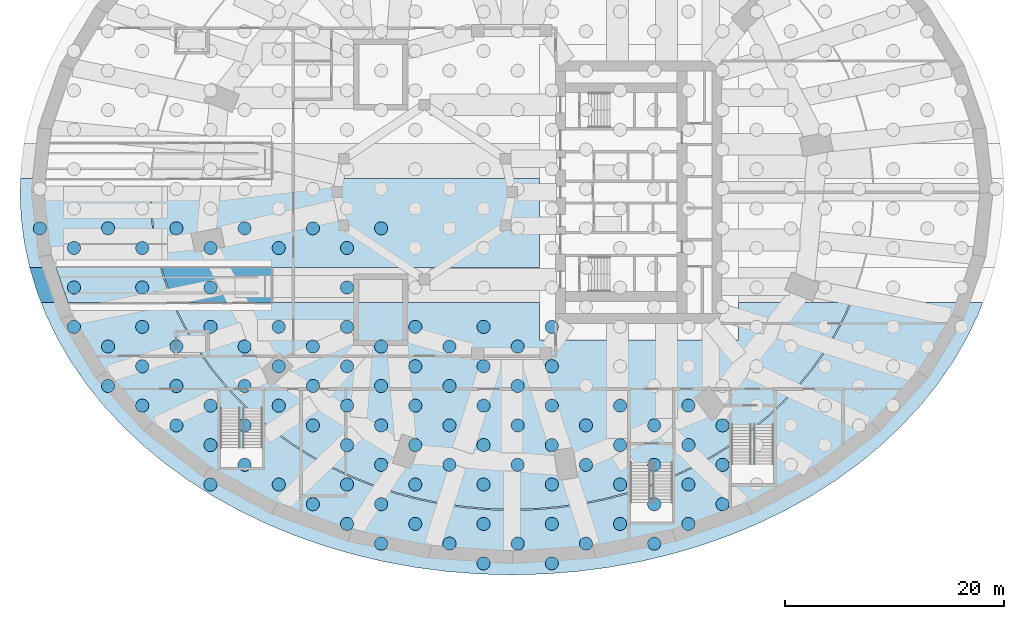
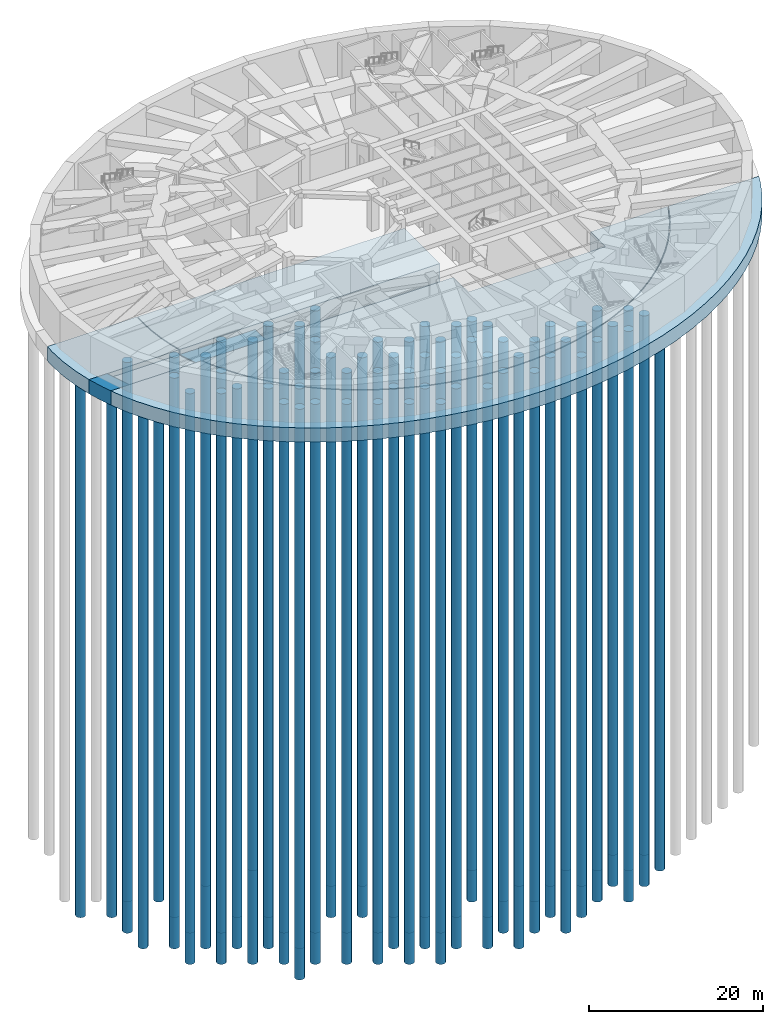
# One storey, part 1 of 18: 100 piles, 7 footings.
"""IFC4 building model written with IfcOpenShell, lengths in metres."""

import ifcopenshell
import ifcopenshell.guid

model = None  # the IFC model being written
_history = None  # IfcOwnerHistory: only IFC2X3 demands one
_inside = {}  # id of a spatial element -> (the spatial element, [elements in it])
_under = {}  # id of a project, library or spatial element -> (it, [spatial elements below it])
_declared = {}  # id of a project -> (the project, [libraries it declares])
_typed = {}  # id of a type object -> (the type object, [elements of that type])
_made_of = {}  # id of a material, layer set ... -> (it, [elements and type objects made of it])


def new_model(schema):
    """Start an empty IFC model of exactly this schema.

    Asked for "IFC4X3", IfcOpenShell would pick the latest addendum, in which some entities
    have other attributes; the version numbers below select the first issue.
    IFC2X3 requires an IfcOwnerHistory on every rooted entity: one is made here for all.
    """
    global model, _history
    if schema == "IFC4X3":
        model = ifcopenshell.file(schema_version=(4, 3, 0, 0))
    else:
        model = ifcopenshell.file(schema=schema)
    _inside.clear()
    _under.clear()
    _declared.clear()
    _typed.clear()
    _made_of.clear()
    _history = None
    if model.schema == "IFC2X3":
        org = make("IfcOrganization", Name="unknown")
        user = make(
            "IfcPersonAndOrganization",
            ThePerson=make("IfcPerson", FamilyName="unknown"),
            TheOrganization=org,
        )
        app = make(
            "IfcApplication",
            ApplicationDeveloper=org,
            Version="unknown",
            ApplicationFullName="unknown",
            ApplicationIdentifier="unknown",
        )
        _history = make(
            "IfcOwnerHistory",
            OwningUser=user,
            OwningApplication=app,
            ChangeAction="ADDED",
            CreationDate=0,
        )
    return model


def make(cls, **values):
    """One entity of the class cls with the attributes given. An attribute that is None is left unset."""
    return model.create_entity(
        cls, **{name: value for name, value in values.items() if value is not None}
    )


def rooted(cls, **values):
    """An entity with a GlobalId (a new one), such as an element, a storey or a relation."""
    return make(cls, GlobalId=ifcopenshell.guid.new(), OwnerHistory=_history, **values)


def si_unit(unit_type, name, prefix=None):
    """IfcSIUnit, for example si_unit("LENGTHUNIT", "METRE", prefix="MILLI")."""
    return make("IfcSIUnit", UnitType=unit_type, Prefix=prefix, Name=name)


def assignment(units):
    """IfcUnitAssignment: the units of a project."""
    return None if units is None else make("IfcUnitAssignment", Units=units)


def point(xyz):
    """IfcCartesianPoint."""
    return None if xyz is None else make("IfcCartesianPoint", Coordinates=xyz)


def direction(xyz):
    """IfcDirection."""
    return None if xyz is None else make("IfcDirection", DirectionRatios=xyz)


def frame(location, z_axis=None, x_axis=None):
    """IfcAxis2Placement3D, a coordinate frame: its origin and axes. An axis left out is left unset."""
    return make(
        "IfcAxis2Placement3D",
        Location=point(location),
        Axis=direction(z_axis),
        RefDirection=direction(x_axis),
    )


def frame_2d(location, x_axis=None):
    """IfcAxis2Placement2D, a coordinate frame in the plane: its origin and x axis."""
    return make(
        "IfcAxis2Placement2D", Location=point(location), RefDirection=direction(x_axis)
    )


def origin():
    """The frame at (0, 0, 0) with its axes left unset."""
    return frame((0.0, 0.0, 0.0))


def origin_2d():
    """The frame at (0, 0) in the plane with its x axis left unset."""
    return frame_2d((0.0, 0.0))


def place(relative_to, where):
    """IfcLocalPlacement: puts the frame where relative to a parent placement (None: the world)."""
    return make(
        "IfcLocalPlacement", PlacementRelTo=relative_to, RelativePlacement=where
    )


def context(
    kind, dimensions, precision=None, world=None, true_north=None, identifier=None
):
    """IfcGeometricRepresentationContext, for example the 3D "Model" context."""
    return make(
        "IfcGeometricRepresentationContext",
        ContextIdentifier=identifier,
        ContextType=kind,
        CoordinateSpaceDimension=dimensions,
        Precision=precision,
        WorldCoordinateSystem=world,
        TrueNorth=true_north,
    )


def subcontext(parent, identifier, kind, view, scale=None):
    """IfcGeometricRepresentationSubContext, for example "Body" below "Model"."""
    return make(
        "IfcGeometricRepresentationSubContext",
        ContextIdentifier=identifier,
        ContextType=kind,
        ParentContext=parent,
        TargetScale=scale,
        TargetView=view,
    )


def project(units=None, contexts=None):
    """IfcProject with its units and contexts."""
    return rooted(
        "IfcProject",
        Name="project",
        RepresentationContexts=contexts,
        UnitsInContext=assignment(units),
    )


def spatial(cls, under=None, at=None, **own):
    """A site, building, storey or space (cls), placed at a placement, below another one or the project."""
    s = rooted(cls, ObjectPlacement=at, **own)
    if under is not None:
        _under.setdefault(under.id(), (under, []))[1].append(s)
    return s


def polyline(points):
    """IfcPolyline through the points."""
    return make("IfcPolyline", Points=[point(p) for p in points])


def profile(cls, at=None, kind="AREA", **sizes):
    """A parametric profile (cls). Its sizes go by their IFC names, for example OverallWidth=200.0."""
    return make(cls, ProfileType=kind, Position=at, **sizes)


def circle(**sizes):
    """IfcCircleProfileDef."""
    return profile("IfcCircleProfileDef", **sizes)


def outline(outer, holes=None, kind="AREA"):
    """IfcArbitraryClosedProfileDef: a profile drawn as a closed curve; with holes, ...WithVoids."""
    if holes is None:
        return make("IfcArbitraryClosedProfileDef", ProfileType=kind, OuterCurve=outer)
    return make(
        "IfcArbitraryProfileDefWithVoids",
        ProfileType=kind,
        OuterCurve=outer,
        InnerCurves=holes,
    )


def extrude(swept, where, along, depth):
    """IfcExtrudedAreaSolid: the profile swept, set in the frame where, extruded along a direction by depth."""
    return make(
        "IfcExtrudedAreaSolid",
        SweptArea=swept,
        Position=where,
        ExtrudedDirection=direction(along),
        Depth=depth,
    )


def shape(context_of_items, identifier, shape_type, items):
    """IfcShapeRepresentation: the items that make up one representation, for example the "Body"."""
    return make(
        "IfcShapeRepresentation",
        ContextOfItems=context_of_items,
        RepresentationIdentifier=identifier,
        RepresentationType=shape_type,
        Items=items,
    )


def material(Name=None, Category=None):
    """IfcMaterial."""
    return make("IfcMaterial", Name=Name, Category=Category)


def layer(
    of_material, thickness, ventilated=None, Name=None, Category=None, Priority=None
):
    """IfcMaterialLayer: one layer of a wall or slab, of a material (None: an air gap)."""
    return make(
        "IfcMaterialLayer",
        Material=of_material,
        LayerThickness=thickness,
        IsVentilated=ventilated,
        Name=Name,
        Category=Category,
        Priority=Priority,
    )


def layer_set(layers, Name=None):
    """IfcMaterialLayerSet."""
    return make("IfcMaterialLayerSet", MaterialLayers=layers, LayerSetName=Name)


def material_profile(
    of_material, cross_section, Name=None, Category=None, Priority=None
):
    """IfcMaterialProfile: a cross section and its material."""
    return make(
        "IfcMaterialProfile",
        Name=Name,
        Material=of_material,
        Profile=cross_section,
        Priority=Priority,
        Category=Category,
    )


def profile_set(profiles, Name=None, composite=None):
    """IfcMaterialProfileSet."""
    return make(
        "IfcMaterialProfileSet",
        Name=Name,
        MaterialProfiles=profiles,
        CompositeProfile=composite,
    )


def made_of(thing, what):
    """Note that an element or type object is made of a material, layer set ...; save() writes the relation."""
    if what is not None:
        _made_of.setdefault(what.id(), (what, []))[1].append(thing)
    return thing


def type_object(cls, material=None, **own):
    """A type object (cls), such as IfcWallType, which elements share."""
    return made_of(rooted(cls, **own), material)


def element(
    cls,
    number,
    at=None,
    inside=None,
    cuts=None,
    type_object=None,
    material=None,
    context=None,
    identifier="Body",
    shape_type=None,
    held_by="IfcProductDefinitionShape",
    body=None,
    shapes=None,
    **own,
):
    """One element of the class cls, such as IfcWall. Its Tag is "e" and its number.

    at: its placement. inside: the storey or other place that contains it. cuts: it is an
    opening in that element (IfcRelVoidsElement). A single representation is given by context,
    identifier, shape_type and body (its items); several are given by shapes. held_by: the class
    of the entity that holds the representations. save() writes the other relations.
    """
    e = rooted(cls, Tag="e%d" % number, ObjectPlacement=at, **own)
    if body is not None:
        shapes = [shape(context, identifier, shape_type, body)]
    if shapes is not None:
        e.Representation = make(held_by, Representations=shapes)
    if inside is not None:
        _inside.setdefault(inside.id(), (inside, []))[1].append(e)
    if cuts is not None:
        rooted(
            "IfcRelVoidsElement", RelatingBuildingElement=cuts, RelatedOpeningElement=e
        )
    if type_object is not None:
        _typed.setdefault(type_object.id(), (type_object, []))[1].append(e)
    return made_of(e, material)


def aggregate(whole, parts):
    """IfcRelAggregates: a whole, such as a stair, and the parts it consists of."""
    return rooted("IfcRelAggregates", RelatingObject=whole, RelatedObjects=parts)


def save(model, path):
    """Write the relations noted so far, then the file.

    IfcRelAggregates (storeys below a building ...), IfcRelContainedInSpatialStructure (elements
    in a storey), IfcRelDefinesByType, IfcRelAssociatesMaterial and IfcRelDeclares: one each for
    every whole, place, type object, material and project.
    """
    for whole, parts in _under.values():
        aggregate(whole, parts)
    for where, things in _inside.values():
        rooted(
            "IfcRelContainedInSpatialStructure",
            RelatedElements=things,
            RelatingStructure=where,
        )
    for kind, things in _typed.values():
        rooted("IfcRelDefinesByType", RelatedObjects=things, RelatingType=kind)
    for what, things in _made_of.values():
        rooted("IfcRelAssociatesMaterial", RelatedObjects=things, RelatingMaterial=what)
    for by, libraries in _declared.values():
        rooted("IfcRelDeclares", RelatingContext=by, RelatedDefinitions=libraries)
    model.write(path)


model = new_model("IFC4")

# Units and contexts
model_context = context("Model", 3, precision=1e-05, world=origin(), true_north=direction((0.0, 1.0)))
body_context = subcontext(model_context, "Body", "Model", "MODEL_VIEW")
ifc_project = project(units=[si_unit("LENGTHUNIT", "METRE"), si_unit("AREAUNIT", "SQUARE_METRE"), si_unit("VOLUMEUNIT", "CUBIC_METRE"), si_unit("PLANEANGLEUNIT", "RADIAN"), si_unit("MASSUNIT", "GRAM", prefix="KILO")], contexts=[model_context])

# Site, building, storey
site_placement = place(None, origin())
site = spatial("IfcSite", under=ifc_project, at=site_placement, CompositionType="ELEMENT")
building_placement = place(site_placement, origin())
building = spatial("IfcBuilding", under=site, at=building_placement, Name="Taillehof Tower", CompositionType="ELEMENT")
storey_placement = place(building_placement, frame((0.0, 0.0, -10.39990234375)))
storey = spatial("IfcBuildingStorey", under=building, at=storey_placement, Name="B2", CompositionType="ELEMENT", Elevation=-10.39990234375)

# Piles
ifc_material_1 = material(Name="Concrete C30/37", Category="concrete")
ifc_material_profile = material_profile(ifc_material_1, circle(Radius=0.60009765625, at=origin_2d()), Name="BP D1200")
ifc_profile_set = profile_set([ifc_material_profile], Name="Concrete C30/37")
pile_type = type_object("IfcPileType", Name="Bored pile D1200", PredefinedType="BORED", material=ifc_profile_set)
for number, where, z_axis, x_axis, name in (
    (1, (-2.60205078125, -33.9462890625, -1.902099609375), (0.0, 0.0, -1.0), (1.0, 0.0, 0.0), "Pile 001"),
    (2, (3.641845703125, -33.9462890625, -1.902099609375), (0.0, 0.0, -1.0), (1.0, 0.0, 0.0), "Pile 002"),
    (3, (-11.968017578125, -32.14404296875, -1.902099609375), (0.0, 0.0, -1.0), (1.0, 0.0, 0.0), "Pile 003"),
    (4, (-5.72412109375, -32.143798828125, -1.902099609375), (0.0, 0.0, -1.0), (1.0, 0.0, 0.0), "Pile 004"),
    (5, (0.52001953125, -32.143798828125, -1.902099609375), (0.0, 0.0, -1.0), (1.0, 0.0, 0.0), "Pile 005"),
    (6, (6.763916015625, -32.143798828125, -1.902099609375), (0.0, 0.0, -1.0), (1.0, 0.0, 0.0), "Pile 006"),
    (7, (13.0078125, -32.143798828125, -1.902099609375), (0.0, 0.0, -1.0), (1.0, 0.0, 0.0), "Pile 007"),
    (8, (-15.090087890625, -30.341552734375, -1.902099609375), (0.0, 0.0, -1.0), (1.0, 0.0, 0.0), "Pile 008"),
    (9, (-8.845947265625, -30.341552734375, -1.902099609375), (0.0, 0.0, -1.0), (1.0, 0.0, 0.0), "Pile 009"),
    (10, (-2.60205078125, -30.34130859375, -1.902099609375), (0.0, 0.0, -1.0), (1.0, 0.0, 0.0), "Pile 010"),
    (11, (3.641845703125, -30.34130859375, -1.902099609375), (0.0, 0.0, -1.0), (1.0, 0.0, 0.0), "Pile 011"),
    (12, (9.885986328125, -30.34130859375, -1.902099609375), (0.0, 0.0, -1.0), (1.0, 0.0, 0.0), "Pile 012"),
    (13, (16.1298828125, -30.34130859375, -1.902099609375), (0.0, 0.0, -1.0), (1.0, 0.0, 0.0), "Pile 013"),
    (14, (-18.2119140625, -28.539306640625, -1.902099609375), (0.0, 0.0, -1.0), (1.0, 0.0, 0.0), "Pile 014"),
    (15, (-11.968017578125, -28.5390625, -1.902099609375), (0.0, 0.0, -1.0), (1.0, 0.0, 0.0), "Pile 015"),
    (16, (13.008056640625, -28.538818359375, -1.902099609375), (0.0, 0.0, -1.0), (1.0, 0.0, 0.0), "Pile 016"),
    (17, (19.251953125, -28.538818359375, -1.902099609375), (0.0, 0.0, -1.0), (1.0, 0.0, 0.0), "Pile 017"),
    (18, (-27.577880859375, -26.73681640625, -1.902099609375), (0.0, 0.0, -1.0), (1.0, 0.0, 0.0), "Pile 018"),
    (19, (-21.333984375, -26.73681640625, -1.902099609375), (0.0, 0.0, -1.0), (1.0, 0.0, 0.0), "Pile 019"),
    (20, (-15.090087890625, -26.73681640625, -1.902099609375), (0.0, 0.0, -1.0), (1.0, 0.0, 0.0), "Pile 020"),
):
    element("IfcPile", number, at=place(storey_placement, frame(where, z_axis=z_axis, x_axis=x_axis)), inside=storey, type_object=pile_type, Name=name, PredefinedType="BORED", context=body_context, shape_type="SweptSolid", body=[
        extrude(circle(Radius=0.60009765625, at=origin_2d()), origin(), (0.0, 0.0, 1.0), 75.798095703125),
    ])
for number, where, z_axis, x_axis, name in (
    (21, (-8.845947265625, -26.736572265625, -3.402099609375), (0.0, 0.0, -1.0), (1.0, 0.0, 0.0), "Pile 021"),
    (22, (-2.60205078125, -26.736572265625, -3.402099609375), (0.0, 0.0, -1.0), (1.0, 0.0, 0.0), "Pile 022"),
    (23, (3.64208984375, -26.736328125, -3.402099609375), (0.0, 0.0, -1.0), (1.0, 0.0, 0.0), "Pile 023"),
    (24, (9.885986328125, -26.736328125, -3.402099609375), (0.0, 0.0, -1.0), (1.0, 0.0, 0.0), "Pile 024"),
):
    element("IfcPile", number, at=place(storey_placement, frame(where, z_axis=z_axis, x_axis=x_axis)), inside=storey, type_object=pile_type, Name=name, PredefinedType="BORED", context=body_context, shape_type="SweptSolid", body=[
        extrude(circle(Radius=0.60009765625, at=origin_2d()), origin(), (0.0, 0.0, 1.0), 74.298095703125),
    ])
for number, where, z_axis, x_axis, name in (
    (25, (16.1298828125, -26.736328125, -1.902099609375), (0.0, 0.0, -1.0), (1.0, 0.0, 0.0), "Pile 025"),
    (26, (-24.4560546875, -24.934326171875, -1.902099609375), (0.0, 0.0, -1.0), (1.0, 0.0, 0.0), "Pile 027"),
):
    element("IfcPile", number, at=place(storey_placement, frame(where, z_axis=z_axis, x_axis=x_axis)), inside=storey, type_object=pile_type, Name=name, PredefinedType="BORED", context=body_context, shape_type="SweptSolid", body=[
        extrude(circle(Radius=0.60009765625, at=origin_2d()), origin(), (0.0, 0.0, 1.0), 75.798095703125),
    ])
for number, where, z_axis, x_axis, name in (
    (27, (-11.968017578125, -24.93408203125, -3.402099609375), (0.0, 0.0, -1.0), (1.0, 0.0, 0.0), "Pile 028"),
    (28, (-5.72412109375, -24.93408203125, -3.402099609375), (0.0, 0.0, -1.0), (1.0, 0.0, 0.0), "Pile 029"),
    (29, (0.52001953125, -24.93408203125, -3.402099609375), (0.0, 0.0, -1.0), (1.0, 0.0, 0.0), "Pile 030"),
    (30, (6.763916015625, -24.933837890625, -3.402099609375), (0.0, 0.0, -1.0), (1.0, 0.0, 0.0), "Pile 031"),
    (31, (13.008056640625, -24.933837890625, -3.402099609375), (0.0, 0.0, -1.0), (1.0, 0.0, 0.0), "Pile 032"),
):
    element("IfcPile", number, at=place(storey_placement, frame(where, z_axis=z_axis, x_axis=x_axis)), inside=storey, type_object=pile_type, Name=name, PredefinedType="BORED", context=body_context, shape_type="SweptSolid", body=[
        extrude(circle(Radius=0.60009765625, at=origin_2d()), origin(), (0.0, 0.0, 1.0), 74.298095703125),
    ])
for number, where, z_axis, x_axis, name in (
    (32, (19.251953125, -24.933837890625, -1.902099609375), (0.0, 0.0, -1.0), (1.0, 0.0, 0.0), "Pile 033"),
    (33, (-27.577880859375, -23.1318359375, -1.902099609375), (0.0, 0.0, -1.0), (1.0, 0.0, 0.0), "Pile 035"),
):
    element("IfcPile", number, at=place(storey_placement, frame(where, z_axis=z_axis, x_axis=x_axis)), inside=storey, type_object=pile_type, Name=name, PredefinedType="BORED", context=body_context, shape_type="SweptSolid", body=[
        extrude(circle(Radius=0.60009765625, at=origin_2d()), origin(), (0.0, 0.0, 1.0), 75.798095703125),
    ])
for number, where, z_axis, x_axis, name in (
    (34, (-15.090087890625, -23.1318359375, -3.402099609375), (0.0, 0.0, -1.0), (1.0, 0.0, 0.0), "Pile 036"),
    (35, (-8.845947265625, -23.131591796875, -3.402099609375), (0.0, 0.0, -1.0), (1.0, 0.0, 0.0), "Pile 037"),
    (36, (-2.60205078125, -23.131591796875, -3.402099609375), (0.0, 0.0, -1.0), (1.0, 0.0, 0.0), "Pile 038"),
    (37, (3.64208984375, -23.131591796875, -3.402099609375), (0.0, 0.0, -1.0), (1.0, 0.0, 0.0), "Pile 039"),
    (38, (9.885986328125, -23.13134765625, -3.402099609375), (0.0, 0.0, -1.0), (1.0, 0.0, 0.0), "Pile 040"),
    (39, (16.1298828125, -23.13134765625, -3.402099609375), (0.0, 0.0, -1.0), (1.0, 0.0, 0.0), "Pile 041"),
):
    element("IfcPile", number, at=place(storey_placement, frame(where, z_axis=z_axis, x_axis=x_axis)), inside=storey, type_object=pile_type, Name=name, PredefinedType="BORED", context=body_context, shape_type="SweptSolid", body=[
        extrude(circle(Radius=0.60009765625, at=origin_2d()), origin(), (0.0, 0.0, 1.0), 74.298095703125),
    ])
for number, where, z_axis, x_axis, name in (
    (40, (-30.699951171875, -21.32958984375, -1.902099609375), (0.0, 0.0, -1.0), (1.0, 0.0, 0.0), "Pile 044"),
    (41, (-24.455810546875, -21.329345703125, -1.902099609375), (0.0, 0.0, -1.0), (1.0, 0.0, 0.0), "Pile 045"),
):
    element("IfcPile", number, at=place(storey_placement, frame(where, z_axis=z_axis, x_axis=x_axis)), inside=storey, type_object=pile_type, Name=name, PredefinedType="BORED", context=body_context, shape_type="SweptSolid", body=[
        extrude(circle(Radius=0.60009765625, at=origin_2d()), origin(), (0.0, 0.0, 1.0), 75.798095703125),
    ])
for number, where, z_axis, x_axis, name in (
    (42, (-18.2119140625, -21.329345703125, -3.402099609375), (0.0, 0.0, -1.0), (1.0, 0.0, 0.0), "Pile 046"),
    (43, (-11.968017578125, -21.329345703125, -3.402099609375), (0.0, 0.0, -1.0), (1.0, 0.0, 0.0), "Pile 047"),
    (44, (-5.723876953125, -21.3291015625, -3.402099609375), (0.0, 0.0, -1.0), (1.0, 0.0, 0.0), "Pile 048"),
    (45, (0.52001953125, -21.3291015625, -3.402099609375), (0.0, 0.0, -1.0), (1.0, 0.0, 0.0), "Pile 049"),
    (46, (6.76416015625, -21.3291015625, -3.402099609375), (0.0, 0.0, -1.0), (1.0, 0.0, 0.0), "Pile 050"),
    (47, (13.008056640625, -21.328857421875, -3.402099609375), (0.0, 0.0, -1.0), (1.0, 0.0, 0.0), "Pile 051"),
    (48, (19.252197265625, -21.328857421875, -3.402099609375), (0.0, 0.0, -1.0), (1.0, 0.0, 0.0), "Pile 052"),
):
    element("IfcPile", number, at=place(storey_placement, frame(where, z_axis=z_axis, x_axis=x_axis)), inside=storey, type_object=pile_type, Name=name, PredefinedType="BORED", context=body_context, shape_type="SweptSolid", body=[
        extrude(circle(Radius=0.60009765625, at=origin_2d()), origin(), (0.0, 0.0, 1.0), 74.298095703125),
    ])
for number, where, z_axis, x_axis, name in (
    (49, (-33.822021484375, -19.527099609375, -1.902099609375), (0.0, 0.0, -1.0), (1.0, 0.0, 0.0), "Pile 055"),
    (50, (-27.577880859375, -19.527099609375, -1.902099609375), (0.0, 0.0, -1.0), (1.0, 0.0, 0.0), "Pile 056"),
):
    element("IfcPile", number, at=place(storey_placement, frame(where, z_axis=z_axis, x_axis=x_axis)), inside=storey, type_object=pile_type, Name=name, PredefinedType="BORED", context=body_context, shape_type="SweptSolid", body=[
        extrude(circle(Radius=0.60009765625, at=origin_2d()), origin(), (0.0, 0.0, 1.0), 75.798095703125),
    ])
for number, where, z_axis, x_axis, name in (
    (51, (-21.333984375, -19.52685546875, -3.402099609375), (0.0, 0.0, -1.0), (1.0, 0.0, 0.0), "Pile 057"),
    (52, (-15.08984375, -19.52685546875, -3.402099609375), (0.0, 0.0, -1.0), (1.0, 0.0, 0.0), "Pile 058"),
    (53, (-8.845947265625, -19.52685546875, -3.402099609375), (0.0, 0.0, -1.0), (1.0, 0.0, 0.0), "Pile 059"),
    (54, (-2.601806640625, -19.526611328125, -3.402099609375), (0.0, 0.0, -1.0), (1.0, 0.0, 0.0), "Pile 060"),
    (55, (3.64208984375, -19.526611328125, -3.402099609375), (0.0, 0.0, -1.0), (1.0, 0.0, 0.0), "Pile 061"),
    (56, (9.885986328125, -19.526611328125, -3.402099609375), (0.0, 0.0, -1.0), (1.0, 0.0, 0.0), "Pile 062"),
    (57, (16.130126953125, -19.5263671875, -3.402099609375), (0.0, 0.0, -1.0), (1.0, 0.0, 0.0), "Pile 063"),
):
    element("IfcPile", number, at=place(storey_placement, frame(where, z_axis=z_axis, x_axis=x_axis)), inside=storey, type_object=pile_type, Name=name, PredefinedType="BORED", context=body_context, shape_type="SweptSolid", body=[
        extrude(circle(Radius=0.60009765625, at=origin_2d()), origin(), (0.0, 0.0, 1.0), 74.298095703125),
    ])
for number, where, z_axis, x_axis, name in (
    (58, (-36.94384765625, -17.724609375, -1.902099609375), (0.0, 0.0, -1.0), (1.0, 0.0, 0.0), "Pile 067"),
    (59, (-30.699951171875, -17.724609375, -1.902099609375), (0.0, 0.0, -1.0), (1.0, 0.0, 0.0), "Pile 068"),
):
    element("IfcPile", number, at=place(storey_placement, frame(where, z_axis=z_axis, x_axis=x_axis)), inside=storey, type_object=pile_type, Name=name, PredefinedType="BORED", context=body_context, shape_type="SweptSolid", body=[
        extrude(circle(Radius=0.60009765625, at=origin_2d()), origin(), (0.0, 0.0, 1.0), 75.798095703125),
    ])
for number, where, z_axis, x_axis, name in (
    (60, (-24.455810546875, -17.724609375, -3.402099609375), (0.0, 0.0, -1.0), (1.0, 0.0, 0.0), "Pile 069"),
    (61, (-18.2119140625, -17.724365234375, -3.402099609375), (0.0, 0.0, -1.0), (1.0, 0.0, 0.0), "Pile 070"),
    (62, (-11.968017578125, -17.724365234375, -3.402099609375), (0.0, 0.0, -1.0), (1.0, 0.0, 0.0), "Pile 071"),
    (63, (-5.723876953125, -17.724365234375, -3.402099609375), (0.0, 0.0, -1.0), (1.0, 0.0, 0.0), "Pile 072"),
    (64, (0.52001953125, -17.72412109375, -3.402099609375), (0.0, 0.0, -1.0), (1.0, 0.0, 0.0), "Pile 073"),
):
    element("IfcPile", number, at=place(storey_placement, frame(where, z_axis=z_axis, x_axis=x_axis)), inside=storey, type_object=pile_type, Name=name, PredefinedType="BORED", context=body_context, shape_type="SweptSolid", body=[
        extrude(circle(Radius=0.60009765625, at=origin_2d()), origin(), (0.0, 0.0, 1.0), 74.298095703125),
    ])
pile_1_placement = place(storey_placement, frame((-33.822021484375, -15.922119140625, -1.902099609375), z_axis=(0.0, 0.0, -1.0), x_axis=(1.0, 0.0, 0.0)))
element("IfcPile", 65, at=pile_1_placement, inside=storey, type_object=pile_type, Name="Pile 078", PredefinedType="BORED", context=body_context, shape_type="SweptSolid", body=[
    extrude(circle(Radius=0.60009765625, at=origin_2d()), origin(), (0.0, 0.0, 1.0), 75.798095703125),
])
for number, where, z_axis, x_axis, name in (
    (66, (-21.333984375, -15.922119140625, -3.402099609375), (0.0, 0.0, -1.0), (1.0, 0.0, 0.0), "Pile 079"),
    (67, (-15.08984375, -15.921875, -3.402099609375), (0.0, 0.0, -1.0), (1.0, 0.0, 0.0), "Pile 080"),
    (68, (-8.845947265625, -15.921875, -3.402099609375), (0.0, 0.0, -1.0), (1.0, 0.0, 0.0), "Pile 081"),
    (69, (-2.601806640625, -15.921875, -3.402099609375), (0.0, 0.0, -1.0), (1.0, 0.0, 0.0), "Pile 082"),
    (70, (3.64208984375, -15.921630859375, -3.402099609375), (0.0, 0.0, -1.0), (1.0, 0.0, 0.0), "Pile 083"),
):
    element("IfcPile", number, at=place(storey_placement, frame(where, z_axis=z_axis, x_axis=x_axis)), inside=storey, type_object=pile_type, Name=name, PredefinedType="BORED", context=body_context, shape_type="SweptSolid", body=[
        extrude(circle(Radius=0.60009765625, at=origin_2d()), origin(), (0.0, 0.0, 1.0), 74.298095703125),
    ])
for number, where, z_axis, x_axis, name in (
    (71, (-36.94384765625, -14.11962890625, -1.902099609375), (0.0, 0.0, -1.0), (1.0, 0.0, 0.0), "Pile 089"),
    (72, (-30.69970703125, -14.11962890625, -1.902099609375), (0.0, 0.0, -1.0), (1.0, 0.0, 0.0), "Pile 090"),
):
    element("IfcPile", number, at=place(storey_placement, frame(where, z_axis=z_axis, x_axis=x_axis)), inside=storey, type_object=pile_type, Name=name, PredefinedType="BORED", context=body_context, shape_type="SweptSolid", body=[
        extrude(circle(Radius=0.60009765625, at=origin_2d()), origin(), (0.0, 0.0, 1.0), 75.798095703125),
    ])
for number, where, z_axis, x_axis, name in (
    (73, (-24.455810546875, -14.11962890625, -3.402099609375), (0.0, 0.0, -1.0), (1.0, 0.0, 0.0), "Pile 091"),
    (74, (-18.2119140625, -14.119384765625, -3.402099609375), (0.0, 0.0, -1.0), (1.0, 0.0, 0.0), "Pile 092"),
    (75, (-11.9677734375, -14.119384765625, -3.402099609375), (0.0, 0.0, -1.0), (1.0, 0.0, 0.0), "Pile 093"),
    (76, (-5.723876953125, -14.119384765625, -3.402099609375), (0.0, 0.0, -1.0), (1.0, 0.0, 0.0), "Pile 094"),
    (77, (0.520263671875, -14.119384765625, -3.402099609375), (0.0, 0.0, -1.0), (1.0, 0.0, 0.0), "Pile 095"),
):
    element("IfcPile", number, at=place(storey_placement, frame(where, z_axis=z_axis, x_axis=x_axis)), inside=storey, type_object=pile_type, Name=name, PredefinedType="BORED", context=body_context, shape_type="SweptSolid", body=[
        extrude(circle(Radius=0.60009765625, at=origin_2d()), origin(), (0.0, 0.0, 1.0), 74.298095703125),
    ])
for number, where, z_axis, x_axis, name in (
    (78, (-40.06591796875, -12.3173828125, -1.902099609375), (0.0, 0.0, -1.0), (1.0, 0.0, 0.0), "Pile 099"),
    (79, (-33.82177734375, -12.317138671875, -1.902099609375), (0.0, 0.0, -1.0), (1.0, 0.0, 0.0), "Pile 100"),
):
    element("IfcPile", number, at=place(storey_placement, frame(where, z_axis=z_axis, x_axis=x_axis)), inside=storey, type_object=pile_type, Name=name, PredefinedType="BORED", context=body_context, shape_type="SweptSolid", body=[
        extrude(circle(Radius=0.60009765625, at=origin_2d()), origin(), (0.0, 0.0, 1.0), 75.798095703125),
    ])
for number, where, z_axis, x_axis, name in (
    (80, (-27.577880859375, -12.317138671875, -3.402099609375), (0.0, 0.0, -1.0), (1.0, 0.0, 0.0), "Pile 101"),
    (81, (-21.333740234375, -12.317138671875, -3.402099609375), (0.0, 0.0, -1.0), (1.0, 0.0, 0.0), "Pile 102"),
    (82, (-15.08984375, -12.31689453125, -3.402099609375), (0.0, 0.0, -1.0), (1.0, 0.0, 0.0), "Pile 103"),
    (83, (-8.845703125, -12.31689453125, -3.402099609375), (0.0, 0.0, -1.0), (1.0, 0.0, 0.0), "Pile 104"),
    (84, (-2.601806640625, -12.31689453125, -3.402099609375), (0.0, 0.0, -1.0), (1.0, 0.0, 0.0), "Pile 105"),
):
    element("IfcPile", number, at=place(storey_placement, frame(where, z_axis=z_axis, x_axis=x_axis)), inside=storey, type_object=pile_type, Name=name, PredefinedType="BORED", context=body_context, shape_type="SweptSolid", body=[
        extrude(circle(Radius=0.60009765625, at=origin_2d()), origin(), (0.0, 0.0, 1.0), 74.298095703125),
    ])
pile_2_placement = place(storey_placement, frame((3.64208984375, -12.31689453125, -4.902099609375), z_axis=(0.0, 0.0, -1.0), x_axis=(1.0, 0.0, 0.0)))
element("IfcPile", 85, at=pile_2_placement, inside=storey, type_object=pile_type, Name="Pile 106", PredefinedType="BORED", context=body_context, shape_type="SweptSolid", body=[
    extrude(circle(Radius=0.60009765625, at=origin_2d()), origin(), (0.0, 0.0, 1.0), 72.798095703125),
])
for number, where, z_axis, x_axis, name in (
    (86, (-40.06591796875, -8.71240234375, -1.902099609375), (0.0, 0.0, -1.0), (1.0, 0.0, 0.0), "Pile 116"),
    (87, (-33.82177734375, -8.71240234375, -1.902099609375), (0.0, 0.0, -1.0), (1.0, 0.0, 0.0), "Pile 117"),
):
    element("IfcPile", number, at=place(storey_placement, frame(where, z_axis=z_axis, x_axis=x_axis)), inside=storey, type_object=pile_type, Name=name, PredefinedType="BORED", context=body_context, shape_type="SweptSolid", body=[
        extrude(circle(Radius=0.60009765625, at=origin_2d()), origin(), (0.0, 0.0, 1.0), 75.798095703125),
    ])
for number, where, z_axis, x_axis, name in (
    (88, (-27.577880859375, -8.712158203125, -3.402099609375), (0.0, 0.0, -1.0), (1.0, 0.0, 0.0), "Pile 118"),
    (89, (-15.08984375, -8.712158203125, -3.402099609375), (0.0, 0.0, -1.0), (1.0, 0.0, 0.0), "Pile 119"),
):
    element("IfcPile", number, at=place(storey_placement, frame(where, z_axis=z_axis, x_axis=x_axis)), inside=storey, type_object=pile_type, Name=name, PredefinedType="BORED", context=body_context, shape_type="SweptSolid", body=[
        extrude(circle(Radius=0.60009765625, at=origin_2d()), origin(), (0.0, 0.0, 1.0), 74.298095703125),
    ])
for number, where, z_axis, x_axis, name in (
    (90, (-40.065673828125, -5.107421875, -1.902099609375), (0.0, 0.0, -1.0), (1.0, 0.0, 0.0), "Pile 132"),
    (91, (-33.82177734375, -5.107421875, -1.902099609375), (0.0, 0.0, -1.0), (1.0, 0.0, 0.0), "Pile 133"),
):
    element("IfcPile", number, at=place(storey_placement, frame(where, z_axis=z_axis, x_axis=x_axis)), inside=storey, type_object=pile_type, Name=name, PredefinedType="BORED", context=body_context, shape_type="SweptSolid", body=[
        extrude(circle(Radius=0.60009765625, at=origin_2d()), origin(), (0.0, 0.0, 1.0), 75.798095703125),
    ])
for number, where, z_axis, x_axis, name in (
    (92, (-27.57763671875, -5.107421875, -3.402099609375), (0.0, 0.0, -1.0), (1.0, 0.0, 0.0), "Pile 134"),
    (93, (-21.333740234375, -5.107177734375, -3.402099609375), (0.0, 0.0, -1.0), (1.0, 0.0, 0.0), "Pile 135"),
    (94, (-15.089599609375, -5.107177734375, -3.402099609375), (0.0, 0.0, -1.0), (1.0, 0.0, 0.0), "Pile 136"),
):
    element("IfcPile", number, at=place(storey_placement, frame(where, z_axis=z_axis, x_axis=x_axis)), inside=storey, type_object=pile_type, Name=name, PredefinedType="BORED", context=body_context, shape_type="SweptSolid", body=[
        extrude(circle(Radius=0.60009765625, at=origin_2d()), origin(), (0.0, 0.0, 1.0), 74.298095703125),
    ])
for number, where, z_axis, x_axis, name in (
    (95, (-43.187744140625, -3.30517578125, -1.902099609375), (0.0, 0.0, -1.0), (1.0, 0.0, 0.0), "Pile 146"),
    (96, (-36.943603515625, -3.304931640625, -1.902099609375), (0.0, 0.0, -1.0), (1.0, 0.0, 0.0), "Pile 147"),
):
    element("IfcPile", number, at=place(storey_placement, frame(where, z_axis=z_axis, x_axis=x_axis)), inside=storey, type_object=pile_type, Name=name, PredefinedType="BORED", context=body_context, shape_type="SweptSolid", body=[
        extrude(circle(Radius=0.60009765625, at=origin_2d()), origin(), (0.0, 0.0, 1.0), 75.798095703125),
    ])
for number, where, z_axis, x_axis, name in (
    (97, (-30.69970703125, -3.304931640625, -3.402099609375), (0.0, 0.0, -1.0), (1.0, 0.0, 0.0), "Pile 148"),
    (98, (-24.455810546875, -3.3046875, -3.402099609375), (0.0, 0.0, -1.0), (1.0, 0.0, 0.0), "Pile 149"),
    (99, (-18.211669921875, -3.3046875, -3.402099609375), (0.0, 0.0, -1.0), (1.0, 0.0, 0.0), "Pile 150"),
    (100, (-11.9677734375, -3.3046875, -3.402099609375), (0.0, 0.0, -1.0), (1.0, 0.0, 0.0), "Pile 151"),
):
    element("IfcPile", number, at=place(storey_placement, frame(where, z_axis=z_axis, x_axis=x_axis)), inside=storey, type_object=pile_type, Name=name, PredefinedType="BORED", context=body_context, shape_type="SweptSolid", body=[
        extrude(circle(Radius=0.60009765625, at=origin_2d()), origin(), (0.0, 0.0, 1.0), 74.298095703125),
    ])

# Footings
ifc_material_2 = material(Name="Concrete C35/45", Category="concrete")
ifc_layer_1 = layer(ifc_material_2, 2.0)
ifc_layer_set_1 = layer_set([ifc_layer_1], Name="Podium raft 2000")
footing_type_1 = type_object("IfcFootingType", Name="Podium raft 2000", PredefinedType="PILE_CAP", material=ifc_layer_set_1)
footing_1_placement = place(storey_placement, frame((0.0, 0.0, -2.002197265625)))
element("IfcFooting", 101, at=footing_1_placement, inside=storey, type_object=footing_type_1, Name="Podium raft", PredefinedType="PILE_CAP", context=body_context, shape_type="SweptSolid", body=[
    extrude(outline(polyline([(42.61181640625, -11.25048828125), (41.574462890625, -13.393798828125), (40.359375, -15.480224609375), (38.97119140625, -17.5), (37.416015625, -19.445068359375), (35.700927734375, -21.306640625), (33.832763671875, -23.0771484375), (31.81982421875, -24.748779296875), (29.670654296875, -26.314453125), (27.394287109375, -27.767333984375), (25.000732421875, -29.101318359375), (22.5, -30.310791015625), (19.903076171875, -31.390625), (17.220703125, -32.335693359375), (14.46484375, -33.142578125), (11.64697265625, -33.807373046875), (8.779052734375, -34.327392578125), (5.873779296875, -34.70068359375), (2.943115234375, -34.925048828125), (0.0, -35.0), (-2.943115234375, -34.925048828125), (-5.873779296875, -34.70068359375), (-8.779052734375, -34.327392578125), (-11.64697265625, -33.807373046875), (-14.46484375, -33.142578125), (-17.220703125, -32.335693359375), (-19.903076171875, -31.390625), (-22.5, -30.310791015625), (-25.000732421875, -29.101318359375), (-27.394287109375, -27.767333984375), (-29.670654296875, -26.314453125), (-31.81982421875, -24.748779296875), (-33.832763671875, -23.0771484375), (-35.700927734375, -21.306640625), (-37.416015625, -19.445068359375), (-38.97119140625, -17.5), (-40.359375, -15.480224609375), (-41.574462890625, -13.393798828125), (-42.61181640625, -11.25048828125), (-43.060546875, -10.10009765625), (-40.6064453125, -10.10009765625), (-31.024169921875, -10.10009765625), (-30.579833984375, -11.13720703125), (-30.576904296875, -11.1435546875), (-29.685791015625, -12.872314453125), (-29.68212890625, -12.87841796875), (-28.664306640625, -14.552001953125), (-28.660400390625, -14.557861328125), (-27.52001953125, -16.169189453125), (-27.51611328125, -16.1748046875), (-26.258056640625, -17.71728515625), (-26.253662109375, -17.722412109375), (-24.8837890625, -19.189208984375), (-24.879150390625, -19.19384765625), (-23.40283203125, -20.5791015625), (-23.398193359375, -20.583251953125), (-21.822021484375, -21.880615234375), (-21.81689453125, -21.884521484375), (-20.147705078125, -23.08837890625), (-20.142333984375, -23.091796875), (-18.38720703125, -24.197265625), (-18.3818359375, -24.200439453125), (-16.5478515625, -25.202392578125), (-16.54248046875, -25.205322265625), (-14.637939453125, -26.099853515625), (-14.632568359375, -26.102294921875), (-12.66552734375, -26.885498046875), (-12.659912109375, -26.887451171875), (-10.638916015625, -27.555908203125), (-10.63330078125, -27.5576171875), (-8.56689453125, -28.1083984375), (-8.56103515625, -28.10986328125), (-6.4580078125, -28.540771484375), (-6.452392578125, -28.541748046875), (-4.32177734375, -28.850830078125), (-4.31591796875, -28.8515625), (-2.1669921875, -29.03759765625), (-2.1611328125, -29.037841796875), (-0.0029296875, -29.099853515625), (0.0029296875, -29.099853515625), (2.1611328125, -29.037841796875), (2.1669921875, -29.03759765625), (4.31591796875, -28.8515625), (4.32177734375, -28.850830078125), (6.452392578125, -28.541748046875), (6.4580078125, -28.540771484375), (8.56103515625, -28.10986328125), (8.56689453125, -28.1083984375), (10.63330078125, -27.5576171875), (10.638916015625, -27.555908203125), (12.659912109375, -26.887451171875), (12.66552734375, -26.885498046875), (14.632568359375, -26.102294921875), (14.637939453125, -26.099853515625), (16.54248046875, -25.205322265625), (16.5478515625, -25.202392578125), (18.3818359375, -24.200439453125), (18.38720703125, -24.197265625), (20.142333984375, -23.091796875), (20.147705078125, -23.08837890625), (21.81689453125, -21.884521484375), (21.822021484375, -21.880615234375), (23.398193359375, -20.583251953125), (23.40283203125, -20.5791015625), (24.879150390625, -19.19384765625), (24.8837890625, -19.189208984375), (26.253662109375, -17.722412109375), (26.258056640625, -17.71728515625), (27.51611328125, -16.1748046875), (27.52001953125, -16.169189453125), (28.660400390625, -14.557861328125), (28.664306640625, -14.552001953125), (29.68212890625, -12.87841796875), (29.685791015625, -12.872314453125), (30.576904296875, -11.1435546875), (30.579833984375, -11.13720703125), (31.024169921875, -10.10009765625), (43.060546875, -10.10009765625), (42.61181640625, -11.25048828125)])), origin(), (0.0, 0.0, 1.0), 2.0),
])
footing_2_placement = place(storey_placement, frame((0.0, 0.0, -2.002197265625)))
element("IfcFooting", 102, at=footing_2_placement, inside=storey, type_object=footing_type_1, Name="Podium raft", PredefinedType="PILE_CAP", context=body_context, shape_type="SweptSolid", body=[
    extrude(outline(polyline([(-43.466552734375, -9.05859375), (-44.11376953125, -6.89990234375), (-41.716064453125, -6.89990234375), (-40.6064453125, -10.10009765625), (-43.060546875, -10.10009765625), (-43.466552734375, -9.05859375)])), origin(), (0.0, 0.0, 1.0), 2.0),
])
footing_3_placement = place(storey_placement, frame((0.0, 0.0, -2.002197265625)))
element("IfcFooting", 103, at=footing_3_placement, inside=storey, type_object=footing_type_1, Name="Podium raft", PredefinedType="PILE_CAP", context=body_context, shape_type="SweptSolid", body=[
    extrude(outline(polyline([(-44.13525390625, -6.828125), (-44.614990234375, -4.568359375), (-44.903564453125, -2.2890625), (-45.0, 0.0), (-44.947265625, 1.25), (-42.65087890625, 1.25), (-33.053466796875, 1.25), (-33.099853515625, 0.003662109375), (-33.099853515625, -0.003662109375), (-33.029296875, -1.900390625), (-33.02880859375, -1.90771484375), (-32.817138671875, -3.79638671875), (-32.81591796875, -3.8037109375), (-32.464111328125, -5.676025390625), (-32.462646484375, -5.683349609375), (-32.1396484375, -6.89990234375), (-41.716064453125, -6.89990234375), (-44.11376953125, -6.89990234375), (-44.13525390625, -6.828125)])), origin(), (0.0, 0.0, 1.0), 2.0),
])
ifc_material_3 = material(Name="Concrete C35/45", Category="concrete")
ifc_layer_2 = layer(ifc_material_3, 1.300048828125)
ifc_layer_set_2 = layer_set([ifc_layer_2], Name="Podium raft track trough 1300")
footing_type_2 = type_object("IfcFootingType", Name="Podium raft track trough 1300", PredefinedType="PILE_CAP", material=ifc_layer_set_2)
footing_4_placement = place(storey_placement, frame((0.0, 0.0, -2.002197265625)))
element("IfcFooting", 104, at=footing_4_placement, inside=storey, type_object=footing_type_2, Name="Podium raft track trough", PredefinedType="PILE_CAP", context=body_context, shape_type="SweptSolid", body=[
    extrude(outline(polyline([(-31.97216796875, -7.531494140625), (-31.969970703125, -7.538330078125), (-31.34326171875, -9.3544921875), (-31.340576171875, -9.361083984375), (-31.024169921875, -10.10009765625), (-40.6064453125, -10.10009765625), (-41.716064453125, -6.89990234375), (-32.1396484375, -6.89990234375), (-31.97216796875, -7.531494140625)])), origin(), (0.0, 0.0, 1.0), 1.300048828125),
])
ifc_material_4 = material(Name="Concrete C35/45", Category="concrete")
ifc_layer_3 = layer(ifc_material_4, 3.5)
ifc_layer_set_3 = layer_set([ifc_layer_3], Name="Tower raft 3500")
footing_type_3 = type_object("IfcFootingType", Name="Tower raft 3500", PredefinedType="PILE_CAP", material=ifc_layer_set_3)
footing_5_placement = place(storey_placement, frame((0.0, 0.0, -3.502197265625)))
element("IfcFooting", 105, at=footing_5_placement, inside=storey, type_object=footing_type_3, Name="Tower raft", PredefinedType="PILE_CAP", context=body_context, shape_type="SweptSolid", body=[
    extrude(outline(polyline([(30.488037109375, -11.097900390625), (29.5966796875, -12.826416015625), (28.578857421875, -14.5), (27.4384765625, -16.111572265625), (26.1806640625, -17.654052734375), (24.810791015625, -19.12109375), (23.33447265625, -20.506103515625), (21.75830078125, -21.803466796875), (20.089111328125, -23.00732421875), (18.333740234375, -24.112548828125), (16.5, -25.11474609375), (14.595458984375, -26.00927734375), (12.628662109375, -26.79248046875), (10.607421875, -27.4609375), (8.541015625, -28.011962890625), (6.43798828125, -28.44287109375), (4.307373046875, -28.751953125), (2.158203125, -28.93798828125), (0.0, -29.0), (-2.158203125, -28.93798828125), (-4.307373046875, -28.751953125), (-6.43798828125, -28.44287109375), (-8.541015625, -28.011962890625), (-10.607421875, -27.4609375), (-12.628662109375, -26.79248046875), (-14.595458984375, -26.00927734375), (-16.5, -25.11474609375), (-18.333740234375, -24.112548828125), (-20.089111328125, -23.00732421875), (-21.75830078125, -21.803466796875), (-23.33447265625, -20.506103515625), (-24.810791015625, -19.12109375), (-26.1806640625, -17.654052734375), (-27.4384765625, -16.111572265625), (-28.578857421875, -14.5), (-29.5966796875, -12.826416015625), (-30.488037109375, -11.097900390625), (-30.915283203125, -10.10009765625), (-22.0, -10.10009765625), (2.5, -10.10009765625), (2.5, -13.5), (20.699951171875, -13.5), (20.699951171875, -10.10009765625), (30.915283203125, -10.10009765625), (30.488037109375, -11.097900390625)])), origin(), (0.0, 0.0, 1.0), 3.5),
])
footing_6_placement = place(storey_placement, frame((0.0, 0.0, -3.502197265625)))
element("IfcFooting", 106, at=footing_6_placement, inside=storey, type_object=footing_type_3, Name="Tower raft", PredefinedType="PILE_CAP", context=body_context, shape_type="SweptSolid", body=[
    extrude(outline(polyline([(-32.036376953125, -6.89990234375), (-32.365966796875, -5.65771484375), (-32.7177734375, -3.78515625), (-32.929443359375, -1.896728515625), (-33.0, 0.0), (-32.953369140625, 1.25), (-22.0, 1.25), (2.5, 1.25), (2.5, -6.89990234375), (-22.0, -6.89990234375), (-32.036376953125, -6.89990234375)])), origin(), (0.0, 0.0, 1.0), 3.5),
])
ifc_material_5 = material(Name="Concrete C35/45", Category="concrete")
ifc_layer_4 = layer(ifc_material_5, 2.800048828125)
ifc_layer_set_4 = layer_set([ifc_layer_4], Name="Tower raft track trough 2800")
footing_type_4 = type_object("IfcFootingType", Name="Tower raft track trough 2800", PredefinedType="PILE_CAP", material=ifc_layer_set_4)
footing_7_placement = place(storey_placement, frame((0.0, 0.0, -3.502197265625)))
element("IfcFooting", 107, at=footing_7_placement, inside=storey, type_object=footing_type_4, Name="Tower raft track trough", PredefinedType="PILE_CAP", context=body_context, shape_type="SweptSolid", body=[
    extrude(outline(polyline([(-31.248779296875, -9.32177734375), (-31.87548828125, -7.505859375), (-32.036376953125, -6.89990234375), (-22.0, -6.89990234375), (-22.0, -10.10009765625), (-30.915283203125, -10.10009765625), (-31.248779296875, -9.32177734375)])), origin(), (0.0, 0.0, 1.0), 2.800048828125),
])

save(model, "model.ifc")
